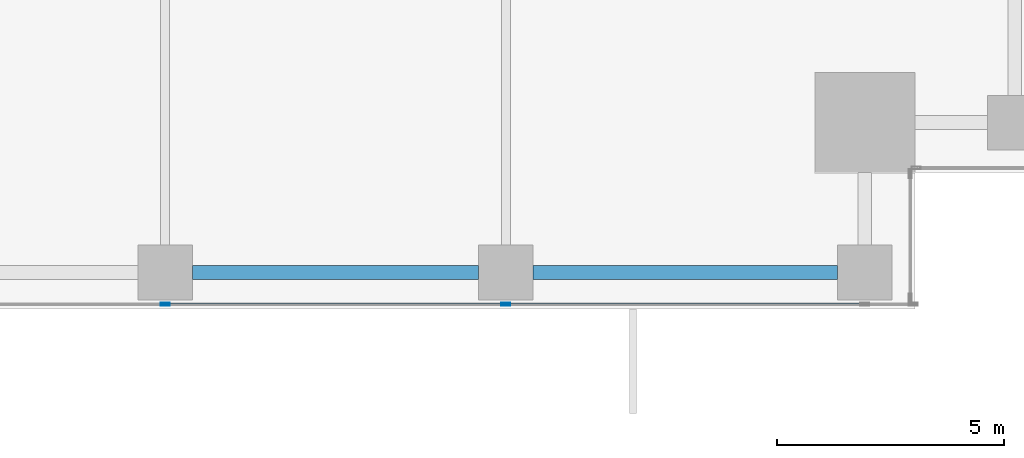
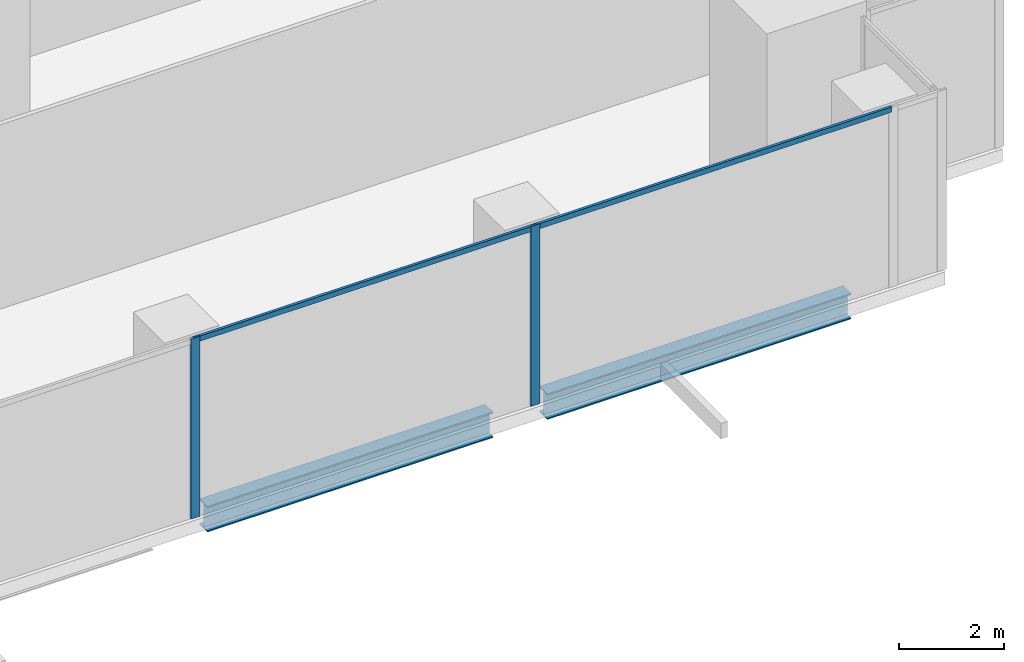
# One storey, part 7 of 32: 4 members, 2 beams, 1 element without a shape of its own.
"""IFC4 building model written with IfcOpenShell, lengths in metres."""

import ifcopenshell
import ifcopenshell.guid

model = None  # the IFC model being written
_history = None  # IfcOwnerHistory: only IFC2X3 demands one
_inside = {}  # id of a spatial element -> (the spatial element, [elements in it])
_under = {}  # id of a project, library or spatial element -> (it, [spatial elements below it])
_declared = {}  # id of a project -> (the project, [libraries it declares])
_typed = {}  # id of a type object -> (the type object, [elements of that type])
_made_of = {}  # id of a material, layer set ... -> (it, [elements and type objects made of it])


def new_model(schema):
    """Start an empty IFC model of exactly this schema.

    Asked for "IFC4X3", IfcOpenShell would pick the latest addendum, in which some entities
    have other attributes; the version numbers below select the first issue.
    IFC2X3 requires an IfcOwnerHistory on every rooted entity: one is made here for all.
    """
    global model, _history
    if schema == "IFC4X3":
        model = ifcopenshell.file(schema_version=(4, 3, 0, 0))
    else:
        model = ifcopenshell.file(schema=schema)
    _inside.clear()
    _under.clear()
    _declared.clear()
    _typed.clear()
    _made_of.clear()
    _history = None
    if model.schema == "IFC2X3":
        org = make("IfcOrganization", Name="unknown")
        user = make(
            "IfcPersonAndOrganization",
            ThePerson=make("IfcPerson", FamilyName="unknown"),
            TheOrganization=org,
        )
        app = make(
            "IfcApplication",
            ApplicationDeveloper=org,
            Version="unknown",
            ApplicationFullName="unknown",
            ApplicationIdentifier="unknown",
        )
        _history = make(
            "IfcOwnerHistory",
            OwningUser=user,
            OwningApplication=app,
            ChangeAction="ADDED",
            CreationDate=0,
        )
    return model


def make(cls, **values):
    """One entity of the class cls with the attributes given. An attribute that is None is left unset."""
    return model.create_entity(
        cls, **{name: value for name, value in values.items() if value is not None}
    )


def rooted(cls, **values):
    """An entity with a GlobalId (a new one), such as an element, a storey or a relation."""
    return make(cls, GlobalId=ifcopenshell.guid.new(), OwnerHistory=_history, **values)


def si_unit(unit_type, name, prefix=None):
    """IfcSIUnit, for example si_unit("LENGTHUNIT", "METRE", prefix="MILLI")."""
    return make("IfcSIUnit", UnitType=unit_type, Prefix=prefix, Name=name)


def assignment(units):
    """IfcUnitAssignment: the units of a project."""
    return None if units is None else make("IfcUnitAssignment", Units=units)


def point(xyz):
    """IfcCartesianPoint."""
    return None if xyz is None else make("IfcCartesianPoint", Coordinates=xyz)


def direction(xyz):
    """IfcDirection."""
    return None if xyz is None else make("IfcDirection", DirectionRatios=xyz)


def frame(location, z_axis=None, x_axis=None):
    """IfcAxis2Placement3D, a coordinate frame: its origin and axes. An axis left out is left unset."""
    return make(
        "IfcAxis2Placement3D",
        Location=point(location),
        Axis=direction(z_axis),
        RefDirection=direction(x_axis),
    )


def frame_2d(location, x_axis=None):
    """IfcAxis2Placement2D, a coordinate frame in the plane: its origin and x axis."""
    return make(
        "IfcAxis2Placement2D", Location=point(location), RefDirection=direction(x_axis)
    )


def origin():
    """The frame at (0, 0, 0) with its axes left unset."""
    return frame((0.0, 0.0, 0.0))


def origin_2d():
    """The frame at (0, 0) in the plane with its x axis left unset."""
    return frame_2d((0.0, 0.0))


def place(relative_to, where):
    """IfcLocalPlacement: puts the frame where relative to a parent placement (None: the world)."""
    return make(
        "IfcLocalPlacement", PlacementRelTo=relative_to, RelativePlacement=where
    )


def context(
    kind, dimensions, precision=None, world=None, true_north=None, identifier=None
):
    """IfcGeometricRepresentationContext, for example the 3D "Model" context."""
    return make(
        "IfcGeometricRepresentationContext",
        ContextIdentifier=identifier,
        ContextType=kind,
        CoordinateSpaceDimension=dimensions,
        Precision=precision,
        WorldCoordinateSystem=world,
        TrueNorth=true_north,
    )


def subcontext(parent, identifier, kind, view, scale=None):
    """IfcGeometricRepresentationSubContext, for example "Body" below "Model"."""
    return make(
        "IfcGeometricRepresentationSubContext",
        ContextIdentifier=identifier,
        ContextType=kind,
        ParentContext=parent,
        TargetScale=scale,
        TargetView=view,
    )


def project(units=None, contexts=None):
    """IfcProject with its units and contexts."""
    return rooted(
        "IfcProject",
        Name="project",
        RepresentationContexts=contexts,
        UnitsInContext=assignment(units),
    )


def spatial(cls, under=None, at=None, **own):
    """A site, building, storey or space (cls), placed at a placement, below another one or the project."""
    s = rooted(cls, ObjectPlacement=at, **own)
    if under is not None:
        _under.setdefault(under.id(), (under, []))[1].append(s)
    return s


def profile(cls, at=None, kind="AREA", **sizes):
    """A parametric profile (cls). Its sizes go by their IFC names, for example OverallWidth=200.0."""
    return make(cls, ProfileType=kind, Position=at, **sizes)


def hollow_rectangle(**sizes):
    """IfcRectangleHollowProfileDef."""
    return profile("IfcRectangleHollowProfileDef", **sizes)


def i_section(**sizes):
    """IfcIShapeProfileDef."""
    return profile("IfcIShapeProfileDef", **sizes)


def extrude(swept, where, along, depth):
    """IfcExtrudedAreaSolid: the profile swept, set in the frame where, extruded along a direction by depth."""
    return make(
        "IfcExtrudedAreaSolid",
        SweptArea=swept,
        Position=where,
        ExtrudedDirection=direction(along),
        Depth=depth,
    )


def shape(context_of_items, identifier, shape_type, items):
    """IfcShapeRepresentation: the items that make up one representation, for example the "Body"."""
    return make(
        "IfcShapeRepresentation",
        ContextOfItems=context_of_items,
        RepresentationIdentifier=identifier,
        RepresentationType=shape_type,
        Items=items,
    )


def source(mapping_origin, context_of_items, identifier, shape_type, items):
    """IfcRepresentationMap: a shape defined once, which mapped items show again and again."""
    return make(
        "IfcRepresentationMap",
        MappingOrigin=mapping_origin,
        MappedRepresentation=shape(context_of_items, identifier, shape_type, items),
    )


def transform(
    local_origin,
    x_axis=None,
    y_axis=None,
    z_axis=None,
    scale=None,
    scale2=None,
    scale3=None,
    uniform=True,
):
    """IfcCartesianTransformationOperator3D, or its non-uniform kind. x_axis, y_axis, z_axis: its Axis1, 2, 3."""
    if uniform:
        return make(
            "IfcCartesianTransformationOperator3D",
            Axis1=direction(x_axis),
            Axis2=direction(y_axis),
            LocalOrigin=point(local_origin),
            Scale=scale,
            Axis3=direction(z_axis),
        )
    return make(
        "IfcCartesianTransformationOperator3DnonUniform",
        Axis1=direction(x_axis),
        Axis2=direction(y_axis),
        LocalOrigin=point(local_origin),
        Scale=scale,
        Axis3=direction(z_axis),
        Scale2=scale2,
        Scale3=scale3,
    )


def mapped(mapping_source, mapping_target):
    """IfcMappedItem: shows the shape of a source again, moved by a transform."""
    return make(
        "IfcMappedItem", MappingSource=mapping_source, MappingTarget=mapping_target
    )


def material(Name=None, Category=None):
    """IfcMaterial."""
    return make("IfcMaterial", Name=Name, Category=Category)


def material_profile(
    of_material, cross_section, Name=None, Category=None, Priority=None
):
    """IfcMaterialProfile: a cross section and its material."""
    return make(
        "IfcMaterialProfile",
        Name=Name,
        Material=of_material,
        Profile=cross_section,
        Priority=Priority,
        Category=Category,
    )


def profile_set(profiles, Name=None, composite=None):
    """IfcMaterialProfileSet."""
    return make(
        "IfcMaterialProfileSet",
        Name=Name,
        MaterialProfiles=profiles,
        CompositeProfile=composite,
    )


def made_of(thing, what):
    """Note that an element or type object is made of a material, layer set ...; save() writes the relation."""
    if what is not None:
        _made_of.setdefault(what.id(), (what, []))[1].append(thing)
    return thing


def type_object(cls, material=None, **own):
    """A type object (cls), such as IfcWallType, which elements share."""
    return made_of(rooted(cls, **own), material)


def element(
    cls,
    number,
    at=None,
    inside=None,
    cuts=None,
    type_object=None,
    material=None,
    context=None,
    identifier="Body",
    shape_type=None,
    held_by="IfcProductDefinitionShape",
    body=None,
    shapes=None,
    **own,
):
    """One element of the class cls, such as IfcWall. Its Tag is "e" and its number.

    at: its placement. inside: the storey or other place that contains it. cuts: it is an
    opening in that element (IfcRelVoidsElement). A single representation is given by context,
    identifier, shape_type and body (its items); several are given by shapes. held_by: the class
    of the entity that holds the representations. save() writes the other relations.
    """
    e = rooted(cls, Tag="e%d" % number, ObjectPlacement=at, **own)
    if body is not None:
        shapes = [shape(context, identifier, shape_type, body)]
    if shapes is not None:
        e.Representation = make(held_by, Representations=shapes)
    if inside is not None:
        _inside.setdefault(inside.id(), (inside, []))[1].append(e)
    if cuts is not None:
        rooted(
            "IfcRelVoidsElement", RelatingBuildingElement=cuts, RelatedOpeningElement=e
        )
    if type_object is not None:
        _typed.setdefault(type_object.id(), (type_object, []))[1].append(e)
    return made_of(e, material)


def aggregate(whole, parts):
    """IfcRelAggregates: a whole, such as a stair, and the parts it consists of."""
    return rooted("IfcRelAggregates", RelatingObject=whole, RelatedObjects=parts)


def save(model, path):
    """Write the relations noted so far, then the file.

    IfcRelAggregates (storeys below a building ...), IfcRelContainedInSpatialStructure (elements
    in a storey), IfcRelDefinesByType, IfcRelAssociatesMaterial and IfcRelDeclares: one each for
    every whole, place, type object, material and project.
    """
    for whole, parts in _under.values():
        aggregate(whole, parts)
    for where, things in _inside.values():
        rooted(
            "IfcRelContainedInSpatialStructure",
            RelatedElements=things,
            RelatingStructure=where,
        )
    for kind, things in _typed.values():
        rooted("IfcRelDefinesByType", RelatedObjects=things, RelatingType=kind)
    for what, things in _made_of.values():
        rooted("IfcRelAssociatesMaterial", RelatedObjects=things, RelatingMaterial=what)
    for by, libraries in _declared.values():
        rooted("IfcRelDeclares", RelatingContext=by, RelatedDefinitions=libraries)
    model.write(path)


model = new_model("IFC4")

# Units and contexts
model_context = context("Model", 3, precision=1e-05, world=origin(), true_north=direction((0.0, 1.0)))
body_context = subcontext(model_context, "Body", "Model", "MODEL_VIEW")
ifc_project = project(units=[si_unit("LENGTHUNIT", "METRE"), si_unit("AREAUNIT", "SQUARE_METRE"), si_unit("VOLUMEUNIT", "CUBIC_METRE"), si_unit("PLANEANGLEUNIT", "RADIAN"), si_unit("MASSUNIT", "GRAM", prefix="KILO")], contexts=[model_context])

# Site, building, storey
site_placement = place(None, origin())
site = spatial("IfcSite", under=ifc_project, at=site_placement, CompositionType="ELEMENT")
building_placement = place(site_placement, origin())
building = spatial("IfcBuilding", under=site, at=building_placement, Name="Khomas Fold Tower", CompositionType="ELEMENT")
storey_placement = place(building_placement, frame((0.0, 0.0, 64.5)))
storey = spatial("IfcBuildingStorey", under=building, at=storey_placement, Name="L13", CompositionType="ELEMENT", Elevation=64.5)

# Beams
ifc_material_1 = material(Name="Steel S355", Category="steel")
ifc_material_profile_1 = material_profile(ifc_material_1, i_section(OverallWidth=0.300048828125, OverallDepth=0.60009765625, WebThickness=0.015380859375, FlangeThickness=0.030029296875, at=origin_2d()), Name="HE 600 B")
ifc_profile_set_1 = profile_set([ifc_material_profile_1], Name="Steel S355")
beam_type = type_object("IfcBeamType", Name="HE 600 B spandrel SB1", PredefinedType="SPANDREL", material=ifc_profile_set_1)
shared_shape_1 = source(origin(), body_context, "Body", "SweptSolid", [
    extrude(i_section(OverallWidth=0.300048828125, OverallDepth=0.60009765625, WebThickness=0.015380859375, FlangeThickness=0.030029296875, at=origin_2d()), origin(), (0.0, 0.0, 1.0), 6.699951171875),
])
beam_1_placement = place(storey_placement, frame((42.60009765625, 0.800048828125, -0.60009765625), z_axis=(1.0, 0.0, 0.0), x_axis=(0.0, 1.0, 0.0)))
element("IfcBeam", 1, at=beam_1_placement, inside=storey, type_object=beam_type, Name="SB1", PredefinedType="SPANDREL", context=body_context, shape_type="MappedRepresentation", body=[
    mapped(shared_shape_1, transform((0.0, 0.0, 0.0))),
])
shared_shape_2 = source(origin(), body_context, "Body", "SweptSolid", [
    extrude(i_section(OverallWidth=0.300048828125, OverallDepth=0.60009765625, WebThickness=0.015380859375, FlangeThickness=0.030029296875, at=origin_2d()), origin(), (0.0, 0.0, 1.0), 6.2998046875),
])
beam_2_placement = place(storey_placement, frame((35.10009765625, 0.800048828125, -0.60009765625), z_axis=(1.0, 0.0, 0.0), x_axis=(0.0, 1.0, 0.0)))
element("IfcBeam", 2, at=beam_2_placement, inside=storey, type_object=beam_type, Name="SB1", PredefinedType="SPANDREL", context=body_context, shape_type="MappedRepresentation", body=[
    mapped(shared_shape_2, transform((0.0, 0.0, 0.0))),
])

# Curtain wall, members
ifc_material_2 = material(Name="Aluminium framed double glazing", Category="aluminium")
curtain_wall_type = type_object("IfcCurtainWallType", Name="SK-Unitised clear-glass wall, growing floors CW1", PredefinedType="NOTDEFINED", material=ifc_material_2)
curtain_wall_placement = place(storey_placement, origin())
curtain_wall = element("IfcCurtainWall", 3, at=curtain_wall_placement, inside=storey, type_object=curtain_wall_type, Name="CW1 run L13 00-0", PredefinedType="NOTDEFINED")
ifc_material_3 = material(Name="Aluminium", Category="aluminium")
ifc_material_profile_2 = material_profile(ifc_material_3, hollow_rectangle(XDim=0.06005859375, YDim=0.1201171875, WallThickness=0.00390625, at=origin_2d()), Name="SK-Unitised clear-glass wall, growing floors transom CW1-T")
ifc_profile_set_2 = profile_set([ifc_material_profile_2], Name="Aluminium")
member_type_1 = type_object("IfcMemberType", Name="SK-Unitised clear-glass wall, growing floors transom CW1-T", PredefinedType="USERDEFINED", material=ifc_profile_set_2)
shared_shape_3 = source(origin(), body_context, "Body", "SweptSolid", [
    extrude(hollow_rectangle(XDim=0.06005859375, YDim=0.1201171875, WallThickness=0.00390625, at=origin_2d()), origin(), (0.0, 0.0, 1.0), 7.840087890625),
])
member_1_placement = place(storey_placement, frame((42.030029296875, 0.10009765625, 4.139892578125), z_axis=(1.0, 0.0, 0.0), x_axis=(0.0, 1.0, 0.0)))
member_1 = element("IfcMember", 4, at=member_1_placement, type_object=member_type_1, Name="CW1 transom 7", ObjectType="TRANSOM", PredefinedType="USERDEFINED", context=body_context, shape_type="MappedRepresentation", body=[
    mapped(shared_shape_3, transform((0.0, 0.0, 0.0))),
])
shared_shape_4 = source(origin(), body_context, "Body", "SweptSolid", [
    extrude(hollow_rectangle(XDim=0.06005859375, YDim=0.1201171875, WallThickness=0.00390625, at=origin_2d()), origin(), (0.0, 0.0, 1.0), 7.43994140625),
])
member_2_placement = place(storey_placement, frame((34.530029296875, 0.10009765625, 4.139892578125), z_axis=(1.0, 0.0, 0.0), x_axis=(0.0, 1.0, 0.0)))
member_2 = element("IfcMember", 5, at=member_2_placement, type_object=member_type_1, Name="CW1 transom 6", ObjectType="TRANSOM", PredefinedType="USERDEFINED", context=body_context, shape_type="MappedRepresentation", body=[
    mapped(shared_shape_4, transform((0.0, 0.0, 0.0))),
])
ifc_material_4 = material(Name="Aluminium", Category="aluminium")
ifc_material_profile_3 = material_profile(ifc_material_4, hollow_rectangle(XDim=0.06005859375, YDim=0.199951171875, WallThickness=0.00390625, at=origin_2d()), Name="SK-Unitised clear-glass wall, growing floors mullion CW1-M")
ifc_profile_set_3 = profile_set([ifc_material_profile_3], Name="Aluminium")
member_type_2 = type_object("IfcMemberType", Name="SK-Unitised clear-glass wall, growing floors mullion CW1-M", PredefinedType="MULLION", material=ifc_profile_set_3)
shared_shape_5 = source(origin(), body_context, "Body", "SweptSolid", [
    extrude(hollow_rectangle(XDim=0.06005859375, YDim=0.199951171875, WallThickness=0.00390625, at=origin_2d()), origin(), (0.0, 0.0, 1.0), 4.199951171875),
])
member_3_placement = place(storey_placement, frame((34.5, 0.10009765625, 0.0), z_axis=(0.0, 0.0, 1.0), x_axis=(0.0, 1.0, 0.0)))
member_3 = element("IfcMember", 6, at=member_3_placement, type_object=member_type_2, Name="CW1 mullion 6", PredefinedType="MULLION", context=body_context, shape_type="MappedRepresentation", body=[
    mapped(shared_shape_5, transform((0.0, 0.0, 0.0))),
])
member_4_placement = place(storey_placement, frame((42.0, 0.10009765625, 0.0), z_axis=(0.0, 0.0, 1.0), x_axis=(0.0, 1.0, 0.0)))
member_4 = element("IfcMember", 7, at=member_4_placement, type_object=member_type_2, Name="CW1 mullion 7", PredefinedType="MULLION", context=body_context, shape_type="MappedRepresentation", body=[
    mapped(shared_shape_5, transform((0.0, 0.0, 0.0))),
])
aggregate(curtain_wall, [member_3, member_4, member_2, member_1])

save(model, "model.ifc")
